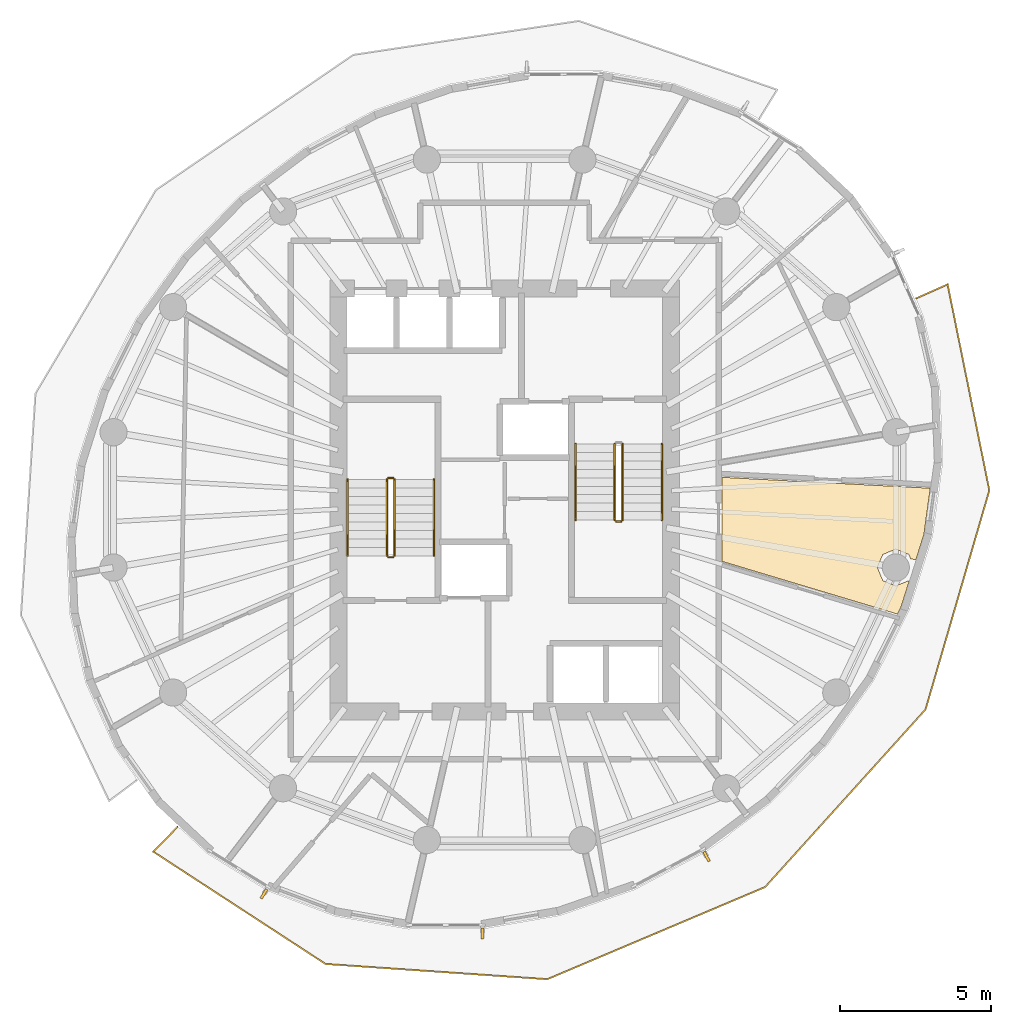
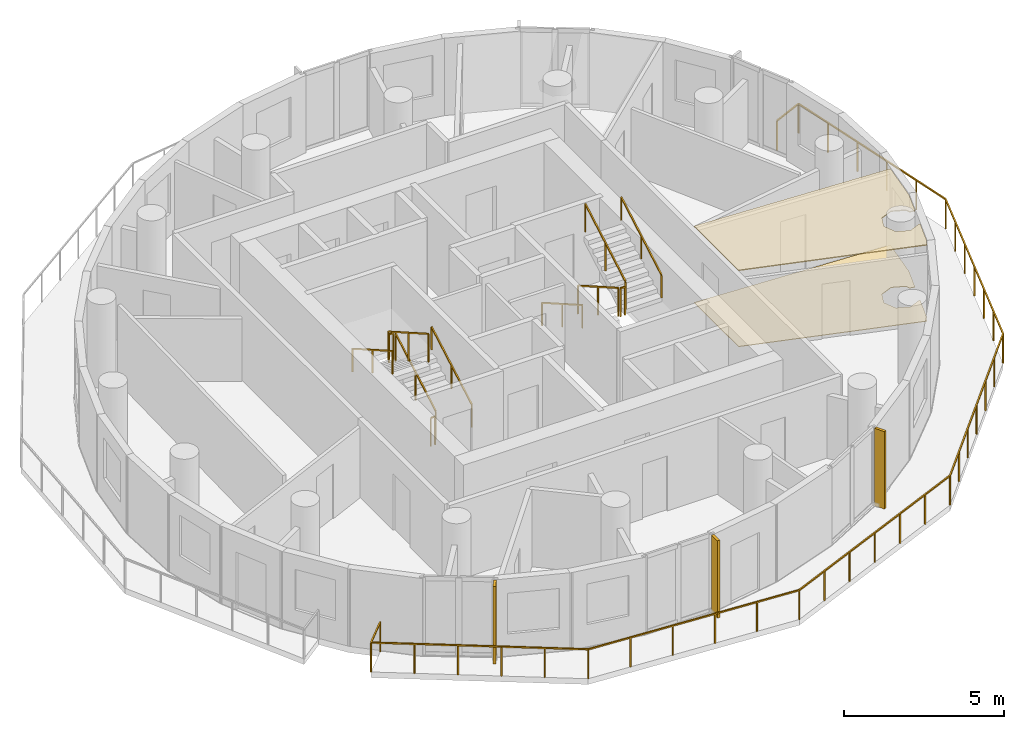
# One storey, part 8 of 10: 12 railings, 3 shading devices, 2 coverings.
"""IFC4 building model written with IfcOpenShell, lengths in metres."""

from ifc_helpers import new_model, si_unit, direction, frame, origin, origin_2d, place, context, subcontext, project, spatial, polyline, rectangle, outline, extrude, material, layer, layer_set, type_object, element, save


model = new_model("IFC4")

# Units and contexts
model_context = context("Model", 3, precision=1e-05, world=origin(), true_north=direction((0.0, 1.0)))
body_context = subcontext(model_context, "Body", "Model", "MODEL_VIEW")
ifc_project = project(units=[si_unit("LENGTHUNIT", "METRE"), si_unit("AREAUNIT", "SQUARE_METRE"), si_unit("VOLUMEUNIT", "CUBIC_METRE"), si_unit("PLANEANGLEUNIT", "RADIAN"), si_unit("MASSUNIT", "GRAM", prefix="KILO")], contexts=[model_context])

# Site, building, storey
site_placement = place(None, origin())
site = spatial("IfcSite", under=ifc_project, at=site_placement, CompositionType="ELEMENT")
building_placement = place(site_placement, origin())
building = spatial("IfcBuilding", under=site, at=building_placement, Name="Veldorim Arch Residences", CompositionType="ELEMENT")
storey_placement = place(building_placement, frame((0.0, 0.0, 169.43994140625)))
storey = spatial("IfcBuildingStorey", under=building, at=storey_placement, Name="L50", CompositionType="ELEMENT", Elevation=169.43994140625)

# Railings
ifc_material_1 = material(Name="Aluminium", Category="aluminium")
railing_type_1 = type_object("IfcRailingType", Name="Balcony & Terrace Laminated Glass Balustrade 1150", PredefinedType="BALUSTRADE", material=ifc_material_1)
railing_1_placement = place(storey_placement, frame((21.172607421875, 13.17724609375, 0.0)))
element("IfcRailing", 1, at=railing_1_placement, inside=storey, type_object=railing_type_1, Name="L50 crescent balcony safety balustrade B", PredefinedType="BALUSTRADE", context=body_context, shape_type="SweptSolid", body=[
    extrude(rectangle(XDim=0.048095703125, YDim=0.048095703125, at=origin_2d()), frame((0.0, 0.0, 1.1259765625), z_axis=(-0.700173288971, -0.713972944454, 0.0), x_axis=(0.713972944454, -0.700173288971, 0.0)), (0.0, 0.0, 1.0), 1.14990234375),
    extrude(rectangle(XDim=0.048095703125, YDim=0.048095703125, at=origin_2d()), frame((-0.80517578125, -0.821044921875, 1.1259765625), z_axis=(0.837688338332, -0.546148558382, 0.0), x_axis=(0.546148558382, 0.837688338332, 0.0)), (0.0, 0.0, 1.0), 6.80908203125),
    extrude(rectangle(XDim=0.048095703125, YDim=0.048095703125, at=origin_2d()), frame((4.898681640625, -4.539794921875, 1.1259765625), z_axis=(0.997644680332, -0.068593671764, 0.0), x_axis=(0.068593671764, 0.997644680332, 0.0)), (0.0, 0.0, 1.0), 7.35693359375),
    extrude(rectangle(XDim=0.048095703125, YDim=0.048095703125, at=origin_2d()), frame((12.23828125, -5.04443359375, 1.1259765625), z_axis=(0.920939712465, 0.389705075673, 0.0), x_axis=(-0.389705075673, 0.920939712465, 0.0)), (0.0, 0.0, 1.0), 7.83154296875),
    extrude(rectangle(XDim=0.048095703125, YDim=0.048095703125, at=origin_2d()), frame((19.45068359375, -1.992431640625, 1.1259765625), z_axis=(0.670326238201, 0.742066529618, 0.0), x_axis=(-0.742066529618, 0.670326238201, 0.0)), (0.0, 0.0, 1.0), 7.9189453125),
    extrude(rectangle(XDim=0.048095703125, YDim=0.048095703125, at=origin_2d()), frame((24.759033203125, 3.884033203125, 1.1259765625), z_axis=(0.279642617111, 0.960104164503, 0.0), x_axis=(-0.960104164503, 0.279642617111, 0.0)), (0.0, 0.0, 1.0), 7.555419921875),
    extrude(rectangle(XDim=0.048095703125, YDim=0.048095703125, at=origin_2d()), frame((26.871826171875, 11.137939453125, 1.1259765625), z_axis=(-0.198747614893, 0.980050705614, 0.0), x_axis=(-0.980050705614, -0.198747614893, 0.0)), (0.0, 0.0, 1.0), 6.956298828125),
    extrude(rectangle(XDim=0.048095703125, YDim=0.048095703125, at=origin_2d()), frame((25.4892578125, 17.95556640625, 1.1259765625), z_axis=(-0.913802793159, -0.406158165268, 0.0), x_axis=(0.406158165268, -0.913802793159, 0.0)), (0.0, 0.0, 1.0), 1.14990234375),
    extrude(rectangle(XDim=0.0419921875, YDim=0.0419921875, at=origin_2d()), origin(), (0.0, 0.0, 1.0), 1.101806640625),
    extrude(rectangle(XDim=0.0419921875, YDim=0.0419921875, at=origin_2d()), frame((-0.80517578125, -0.821044921875, 0.0)), (0.0, 0.0, 1.0), 1.101806640625),
    extrude(rectangle(XDim=0.0419921875, YDim=0.0419921875, at=origin_2d()), frame((0.335693359375, -1.564697265625, 0.0)), (0.0, 0.0, 1.0), 1.101806640625),
    extrude(rectangle(XDim=0.0419921875, YDim=0.0419921875, at=origin_2d()), frame((1.476318359375, -2.30859375, 0.0)), (0.0, 0.0, 1.0), 1.101806640625),
    extrude(rectangle(XDim=0.0419921875, YDim=0.0419921875, at=origin_2d()), frame((2.6171875, -3.05224609375, 0.0)), (0.0, 0.0, 1.0), 1.101806640625),
    extrude(rectangle(XDim=0.0419921875, YDim=0.0419921875, at=origin_2d()), frame((3.7578125, -3.796142578125, 0.0)), (0.0, 0.0, 1.0), 1.101806640625),
    extrude(rectangle(XDim=0.0419921875, YDim=0.0419921875, at=origin_2d()), frame((4.898681640625, -4.539794921875, 0.0)), (0.0, 0.0, 1.0), 1.101806640625),
    extrude(rectangle(XDim=0.0419921875, YDim=0.0419921875, at=origin_2d()), frame((6.36669921875, -4.640625, 0.0)), (0.0, 0.0, 1.0), 1.101806640625),
    extrude(rectangle(XDim=0.0419921875, YDim=0.0419921875, at=origin_2d()), frame((7.83447265625, -4.74169921875, 0.0)), (0.0, 0.0, 1.0), 1.101806640625),
    extrude(rectangle(XDim=0.0419921875, YDim=0.0419921875, at=origin_2d()), frame((9.302490234375, -4.842529296875, 0.0)), (0.0, 0.0, 1.0), 1.101806640625),
    extrude(rectangle(XDim=0.0419921875, YDim=0.0419921875, at=origin_2d()), frame((10.770263671875, -4.943603515625, 0.0)), (0.0, 0.0, 1.0), 1.101806640625),
    extrude(rectangle(XDim=0.0419921875, YDim=0.0419921875, at=origin_2d()), frame((12.23828125, -5.04443359375, 0.0)), (0.0, 0.0, 1.0), 1.101806640625),
    extrude(rectangle(XDim=0.0419921875, YDim=0.0419921875, at=origin_2d()), frame((13.4404296875, -4.53564453125, 0.0)), (0.0, 0.0, 1.0), 1.101806640625),
    extrude(rectangle(XDim=0.0419921875, YDim=0.0419921875, at=origin_2d()), frame((14.642333984375, -4.027099609375, 0.0)), (0.0, 0.0, 1.0), 1.101806640625),
    extrude(rectangle(XDim=0.0419921875, YDim=0.0419921875, at=origin_2d()), frame((15.844482421875, -3.5185546875, 0.0)), (0.0, 0.0, 1.0), 1.101806640625),
    extrude(rectangle(XDim=0.0419921875, YDim=0.0419921875, at=origin_2d()), frame((17.046630859375, -3.009765625, 0.0)), (0.0, 0.0, 1.0), 1.101806640625),
    extrude(rectangle(XDim=0.0419921875, YDim=0.0419921875, at=origin_2d()), frame((18.24853515625, -2.5009765625, 0.0)), (0.0, 0.0, 1.0), 1.101806640625),
    extrude(rectangle(XDim=0.0419921875, YDim=0.0419921875, at=origin_2d()), frame((19.45068359375, -1.992431640625, 0.0)), (0.0, 0.0, 1.0), 1.101806640625),
    extrude(rectangle(XDim=0.0419921875, YDim=0.0419921875, at=origin_2d()), frame((20.33544921875, -1.012939453125, 0.0)), (0.0, 0.0, 1.0), 1.101806640625),
    extrude(rectangle(XDim=0.0419921875, YDim=0.0419921875, at=origin_2d()), frame((21.22021484375, -0.03369140625, 0.0)), (0.0, 0.0, 1.0), 1.101806640625),
    extrude(rectangle(XDim=0.0419921875, YDim=0.0419921875, at=origin_2d()), frame((22.10498046875, 0.94580078125, 0.0)), (0.0, 0.0, 1.0), 1.101806640625),
    extrude(rectangle(XDim=0.0419921875, YDim=0.0419921875, at=origin_2d()), frame((22.989501953125, 1.92529296875, 0.0)), (0.0, 0.0, 1.0), 1.101806640625),
    extrude(rectangle(XDim=0.0419921875, YDim=0.0419921875, at=origin_2d()), frame((23.874267578125, 2.904541015625, 0.0)), (0.0, 0.0, 1.0), 1.101806640625),
    extrude(rectangle(XDim=0.0419921875, YDim=0.0419921875, at=origin_2d()), frame((24.759033203125, 3.884033203125, 0.0)), (0.0, 0.0, 1.0), 1.101806640625),
    extrude(rectangle(XDim=0.0419921875, YDim=0.0419921875, at=origin_2d()), frame((25.111083984375, 5.093017578125, 0.0)), (0.0, 0.0, 1.0), 1.101806640625),
    extrude(rectangle(XDim=0.0419921875, YDim=0.0419921875, at=origin_2d()), frame((25.46337890625, 6.302001953125, 0.0)), (0.0, 0.0, 1.0), 1.101806640625),
    extrude(rectangle(XDim=0.0419921875, YDim=0.0419921875, at=origin_2d()), frame((25.8154296875, 7.510986328125, 0.0)), (0.0, 0.0, 1.0), 1.101806640625),
    extrude(rectangle(XDim=0.0419921875, YDim=0.0419921875, at=origin_2d()), frame((26.16748046875, 8.719970703125, 0.0)), (0.0, 0.0, 1.0), 1.101806640625),
    extrude(rectangle(XDim=0.0419921875, YDim=0.0419921875, at=origin_2d()), frame((26.519775390625, 9.928955078125, 0.0)), (0.0, 0.0, 1.0), 1.101806640625),
    extrude(rectangle(XDim=0.0419921875, YDim=0.0419921875, at=origin_2d()), frame((26.871826171875, 11.137939453125, 0.0)), (0.0, 0.0, 1.0), 1.101806640625),
    extrude(rectangle(XDim=0.0419921875, YDim=0.0419921875, at=origin_2d()), frame((26.59521484375, 12.50146484375, 0.0)), (0.0, 0.0, 1.0), 1.101806640625),
    extrude(rectangle(XDim=0.0419921875, YDim=0.0419921875, at=origin_2d()), frame((26.31884765625, 13.864990234375, 0.0)), (0.0, 0.0, 1.0), 1.101806640625),
    extrude(rectangle(XDim=0.0419921875, YDim=0.0419921875, at=origin_2d()), frame((26.042236328125, 15.228515625, 0.0)), (0.0, 0.0, 1.0), 1.101806640625),
    extrude(rectangle(XDim=0.0419921875, YDim=0.0419921875, at=origin_2d()), frame((25.765869140625, 16.592041015625, 0.0)), (0.0, 0.0, 1.0), 1.101806640625),
    extrude(rectangle(XDim=0.0419921875, YDim=0.0419921875, at=origin_2d()), frame((25.4892578125, 17.95556640625, 0.0)), (0.0, 0.0, 1.0), 1.101806640625),
    extrude(rectangle(XDim=0.0419921875, YDim=0.0419921875, at=origin_2d()), frame((24.4384765625, 17.488525390625, 0.0)), (0.0, 0.0, 1.0), 1.101806640625),
])
ifc_material_2 = material(Name="Steel S355", Category="steel")
railing_type_2 = type_object("IfcRailingType", Name="Galvanised Steel Stair Safety Guardrail 1100", PredefinedType="GUARDRAIL", material=ifc_material_2)
railing_2_placement = place(storey_placement, frame((28.360107421875, 22.14990234375, 0.16015625)))
element("IfcRailing", 2, at=railing_2_placement, inside=storey, type_object=railing_type_2, Name="L50 ST-1 stair guard 1", PredefinedType="GUARDRAIL", context=body_context, shape_type="SweptSolid", body=[
    extrude(rectangle(XDim=0.048095703125, YDim=0.048095703125, at=origin_2d()), frame((0.0, 0.0, 1.076171875), z_axis=(0.0, 0.868253494771, 0.496120820787), x_axis=(-1.0, 0.0, 0.0)), (0.0, 0.0, 1.0), 2.90234375),
    extrude(rectangle(XDim=0.0419921875, YDim=0.0419921875, at=origin_2d()), origin(), (0.0, 0.0, 1.0), 1.052001953125),
    extrude(rectangle(XDim=0.0419921875, YDim=0.0419921875, at=origin_2d()), frame((0.0, 1.260009765625, 0.719970703125)), (0.0, 0.0, 1.0), 1.052001953125),
    extrude(rectangle(XDim=0.0419921875, YDim=0.0419921875, at=origin_2d()), frame((0.0, 2.52001953125, 1.43994140625)), (0.0, 0.0, 1.0), 1.052001953125),
])
railing_3_placement = place(storey_placement, frame((28.31005859375, 24.719970703125, 1.60009765625)))
element("IfcRailing", 3, at=railing_3_placement, inside=storey, type_object=railing_type_2, Name="L50 ST-1 stair guard 2", PredefinedType="GUARDRAIL", context=body_context, shape_type="SweptSolid", body=[
    extrude(rectangle(XDim=0.048095703125, YDim=0.048095703125, at=origin_2d()), frame((0.0, 0.0, 1.076171875), z_axis=(-1.0, 0.0, 0.0), x_axis=(0.0, -1.0, 0.0)), (0.0, 0.0, 1.0), 0.16015625),
    extrude(rectangle(XDim=0.0419921875, YDim=0.0419921875, at=origin_2d()), origin(), (0.0, 0.0, 1.0), 1.052001953125),
    extrude(rectangle(XDim=0.0419921875, YDim=0.0419921875, at=origin_2d()), frame((-0.16015625, 0.0, 0.0)), (0.0, 0.0, 1.0), 1.052001953125),
])
railing_4_placement = place(storey_placement, frame((28.10009765625, 24.669921875, 1.760009765625)))
element("IfcRailing", 4, at=railing_4_placement, inside=storey, type_object=railing_type_2, Name="L50 ST-1 stair guard 3", PredefinedType="GUARDRAIL", context=body_context, shape_type="SweptSolid", body=[
    extrude(rectangle(XDim=0.048095703125, YDim=0.048095703125, at=origin_2d()), frame((0.0, 0.0, 1.076171875), z_axis=(0.0, -0.868253494771, 0.496120820787), x_axis=(1.0, 0.0, 0.0)), (0.0, 0.0, 1.0), 2.90234375),
    extrude(rectangle(XDim=0.0419921875, YDim=0.0419921875, at=origin_2d()), origin(), (0.0, 0.0, 1.0), 1.052001953125),
    extrude(rectangle(XDim=0.0419921875, YDim=0.0419921875, at=origin_2d()), frame((0.0, -1.260009765625, 0.719970703125)), (0.0, 0.0, 1.0), 1.052001953125),
    extrude(rectangle(XDim=0.0419921875, YDim=0.0419921875, at=origin_2d()), frame((0.0, -2.52001953125, 1.43994140625)), (0.0, 0.0, 1.0), 1.052001953125),
])
railing_5_placement = place(storey_placement, frame((28.31005859375, 22.10009765625, 0.0)))
element("IfcRailing", 5, at=railing_5_placement, inside=storey, type_object=railing_type_2, Name="L50 ST-1 stair guard 4", PredefinedType="GUARDRAIL", context=body_context, shape_type="SweptSolid", body=[
    extrude(rectangle(XDim=0.048095703125, YDim=0.048095703125, at=origin_2d()), frame((0.0, 0.0, 1.076171875), z_axis=(-1.0, 0.0, 0.0), x_axis=(0.0, -1.0, 0.0)), (0.0, 0.0, 1.0), 0.16015625),
    extrude(rectangle(XDim=0.0419921875, YDim=0.0419921875, at=origin_2d()), origin(), (0.0, 0.0, 1.0), 1.052001953125),
    extrude(rectangle(XDim=0.0419921875, YDim=0.0419921875, at=origin_2d()), frame((-0.16015625, 0.0, 0.0)), (0.0, 0.0, 1.0), 1.052001953125),
])
railing_6_placement = place(storey_placement, frame((35.639892578125, 25.85009765625, 0.16015625)))
element("IfcRailing", 6, at=railing_6_placement, inside=storey, type_object=railing_type_2, Name="L50 ST-2 stair guard 1", PredefinedType="GUARDRAIL", context=body_context, shape_type="SweptSolid", body=[
    extrude(rectangle(XDim=0.048095703125, YDim=0.048095703125, at=origin_2d()), frame((0.0, 0.0, 1.076171875), z_axis=(0.0, -0.868253494771, 0.496120820787), x_axis=(1.0, 0.0, 0.0)), (0.0, 0.0, 1.0), 2.90234375),
    extrude(rectangle(XDim=0.0419921875, YDim=0.0419921875, at=origin_2d()), origin(), (0.0, 0.0, 1.0), 1.052001953125),
    extrude(rectangle(XDim=0.0419921875, YDim=0.0419921875, at=origin_2d()), frame((0.0, -1.260009765625, 0.719970703125)), (0.0, 0.0, 1.0), 1.052001953125),
    extrude(rectangle(XDim=0.0419921875, YDim=0.0419921875, at=origin_2d()), frame((0.0, -2.52001953125, 1.43994140625)), (0.0, 0.0, 1.0), 1.052001953125),
])
railing_7_placement = place(storey_placement, frame((35.68994140625, 23.280029296875, 1.60009765625)))
element("IfcRailing", 7, at=railing_7_placement, inside=storey, type_object=railing_type_2, Name="L50 ST-2 stair guard 2", PredefinedType="GUARDRAIL", context=body_context, shape_type="SweptSolid", body=[
    extrude(rectangle(XDim=0.048095703125, YDim=0.048095703125, at=origin_2d()), frame((0.0, 0.0, 1.076171875), z_axis=(1.0, 0.0, 0.0), x_axis=(0.0, 1.0, 0.0)), (0.0, 0.0, 1.0), 0.16015625),
    extrude(rectangle(XDim=0.0419921875, YDim=0.0419921875, at=origin_2d()), origin(), (0.0, 0.0, 1.0), 1.052001953125),
    extrude(rectangle(XDim=0.0419921875, YDim=0.0419921875, at=origin_2d()), frame((0.16015625, 0.0, 0.0)), (0.0, 0.0, 1.0), 1.052001953125),
])
railing_8_placement = place(storey_placement, frame((35.89990234375, 23.330078125, 1.760009765625)))
element("IfcRailing", 8, at=railing_8_placement, inside=storey, type_object=railing_type_2, Name="L50 ST-2 stair guard 3", PredefinedType="GUARDRAIL", context=body_context, shape_type="SweptSolid", body=[
    extrude(rectangle(XDim=0.048095703125, YDim=0.048095703125, at=origin_2d()), frame((0.0, 0.0, 1.076171875), z_axis=(0.0, 0.868253494771, 0.496120820787), x_axis=(-1.0, 0.0, 0.0)), (0.0, 0.0, 1.0), 2.90234375),
    extrude(rectangle(XDim=0.0419921875, YDim=0.0419921875, at=origin_2d()), origin(), (0.0, 0.0, 1.0), 1.052001953125),
    extrude(rectangle(XDim=0.0419921875, YDim=0.0419921875, at=origin_2d()), frame((0.0, 1.260009765625, 0.719970703125)), (0.0, 0.0, 1.0), 1.052001953125),
    extrude(rectangle(XDim=0.0419921875, YDim=0.0419921875, at=origin_2d()), frame((0.0, 2.52001953125, 1.43994140625)), (0.0, 0.0, 1.0), 1.052001953125),
])

# Coverings
ifc_material_3 = material(Name="Acoustic Gypsum & Mineral Fibre", Category="gypsum")
ifc_layer_1 = layer(ifc_material_3, 0.034912109375, Name="Perforated Acoustic Mineral-Fibre Ceiling 35")
ifc_layer_set_1 = layer_set([ifc_layer_1], Name="Acoustic Gypsum & Mineral Fibre")
covering_type_1 = type_object("IfcCoveringType", Name="Perforated Acoustic Mineral-Fibre Ceiling 35", PredefinedType="CEILING", material=ifc_layer_set_1)
covering_1_placement = place(storey_placement, frame((0.0, 0.0, 2.905029296875)))
element("IfcCovering", 9, at=covering_1_placement, inside=storey, type_object=covering_type_1, Name="L50 acoustic suspended ceiling 01", PredefinedType="CEILING", context=body_context, shape_type="SweptSolid", body=[
    extrude(outline(polyline([(45.3876953125, 21.31103515625), (45.11767578125, 20.455078125), (44.999267578125, 20.220458984375), (39.199951171875, 21.96240234375), (39.199951171875, 24.745361328125), (46.08544921875, 24.385498046875), (45.875, 22.8564453125), (45.61083984375, 22.018310546875), (45.43701171875, 22.048583984375), (45.377685546875, 22.191650390625), (44.9462890625, 22.370361328125), (44.51513671875, 22.191650390625), (44.33642578125, 21.760498046875), (44.51513671875, 21.3291015625), (44.9462890625, 21.150390625), (45.349853515625, 21.317626953125), (45.3876953125, 21.31103515625)])), origin(), (0.0, 0.0, 1.0), 0.034912109375),
])
ifc_material_4 = material(Name="Porcelain Ceramic Tile", Category="ceramic")
ifc_layer_2 = layer(ifc_material_4, 0.02001953125, Name="Slip-Resistant Porcelain & Vinyl Floor Finish 20")
ifc_layer_set_2 = layer_set([ifc_layer_2], Name="Porcelain Ceramic Tile")
covering_type_2 = type_object("IfcCoveringType", Name="Slip-Resistant Porcelain & Vinyl Floor Finish 20", PredefinedType="FLOORING", material=ifc_layer_set_2)
covering_2_placement = place(storey_placement, origin())
element("IfcCovering", 10, at=covering_2_placement, inside=storey, type_object=covering_type_2, Name="L50 porcelain floor finish 01", PredefinedType="FLOORING", context=body_context, shape_type="SweptSolid", body=[
    extrude(outline(polyline([(45.3876953125, 21.31103515625), (45.11767578125, 20.455078125), (44.999267578125, 20.220458984375), (39.199951171875, 21.96240234375), (39.199951171875, 24.745361328125), (46.08544921875, 24.385498046875), (45.875, 22.8564453125), (45.61083984375, 22.018310546875), (45.43701171875, 22.048583984375), (45.377685546875, 22.191650390625), (44.9462890625, 22.370361328125), (44.51513671875, 22.191650390625), (44.33642578125, 21.760498046875), (44.51513671875, 21.3291015625), (44.9462890625, 21.150390625), (45.349853515625, 21.317626953125), (45.3876953125, 21.31103515625)])), origin(), (0.0, 0.0, 1.0), 0.02001953125),
])

# Railings
ifc_material_5 = material(Name="Stainless Steel", Category="steel")
railing_type_3 = type_object("IfcRailingType", Name="Tubular Steel Continuous Wall Handrail 900", PredefinedType="HANDRAIL", material=ifc_material_5)
railing_9_placement = place(storey_placement, frame((29.659912109375, 22.14990234375, 0.16015625)))
element("IfcRailing", 11, at=railing_9_placement, inside=storey, type_object=railing_type_3, Name="L50 ST-1 stair handrail 1", PredefinedType="HANDRAIL", context=body_context, shape_type="SweptSolid", body=[
    extrude(rectangle(XDim=0.048095703125, YDim=0.048095703125, at=origin_2d()), frame((0.0, 0.0, 0.8759765625), z_axis=(0.0, 0.868253494771, 0.496120820787), x_axis=(-1.0, 0.0, 0.0)), (0.0, 0.0, 1.0), 2.90234375),
    extrude(rectangle(XDim=0.0419921875, YDim=0.0419921875, at=origin_2d()), origin(), (0.0, 0.0, 1.0), 0.851806640625),
    extrude(rectangle(XDim=0.0419921875, YDim=0.0419921875, at=origin_2d()), frame((0.0, 1.260009765625, 0.719970703125)), (0.0, 0.0, 1.0), 0.851806640625),
    extrude(rectangle(XDim=0.0419921875, YDim=0.0419921875, at=origin_2d()), frame((0.0, 2.52001953125, 1.43994140625)), (0.0, 0.0, 1.0), 0.851806640625),
])
for number, where, name in (
    (12, (26.800048828125, 24.669921875, 1.760009765625), "L50 ST-1 stair handrail 2"),
    (13, (34.340087890625, 25.85009765625, 0.16015625), "L50 ST-2 stair handrail 1"),
):
    element("IfcRailing", number, at=place(storey_placement, frame(where)), inside=storey, type_object=railing_type_3, Name=name, PredefinedType="HANDRAIL", context=body_context, shape_type="SweptSolid", body=[
        extrude(rectangle(XDim=0.048095703125, YDim=0.048095703125, at=origin_2d()), frame((0.0, 0.0, 0.8759765625), z_axis=(0.0, -0.868253494771, 0.496120820787), x_axis=(1.0, 0.0, 0.0)), (0.0, 0.0, 1.0), 2.90234375),
        extrude(rectangle(XDim=0.0419921875, YDim=0.0419921875, at=origin_2d()), origin(), (0.0, 0.0, 1.0), 0.851806640625),
        extrude(rectangle(XDim=0.0419921875, YDim=0.0419921875, at=origin_2d()), frame((0.0, -1.260009765625, 0.719970703125)), (0.0, 0.0, 1.0), 0.851806640625),
        extrude(rectangle(XDim=0.0419921875, YDim=0.0419921875, at=origin_2d()), frame((0.0, -2.52001953125, 1.43994140625)), (0.0, 0.0, 1.0), 0.851806640625),
    ])
railing_10_placement = place(storey_placement, frame((37.199951171875, 23.330078125, 1.760009765625)))
element("IfcRailing", 14, at=railing_10_placement, inside=storey, type_object=railing_type_3, Name="L50 ST-2 stair handrail 2", PredefinedType="HANDRAIL", context=body_context, shape_type="SweptSolid", body=[
    extrude(rectangle(XDim=0.048095703125, YDim=0.048095703125, at=origin_2d()), frame((0.0, 0.0, 0.8759765625), z_axis=(0.0, 0.868253494771, 0.496120820787), x_axis=(-1.0, 0.0, 0.0)), (0.0, 0.0, 1.0), 2.90234375),
    extrude(rectangle(XDim=0.0419921875, YDim=0.0419921875, at=origin_2d()), origin(), (0.0, 0.0, 1.0), 0.851806640625),
    extrude(rectangle(XDim=0.0419921875, YDim=0.0419921875, at=origin_2d()), frame((0.0, 1.260009765625, 0.719970703125)), (0.0, 0.0, 1.0), 0.851806640625),
    extrude(rectangle(XDim=0.0419921875, YDim=0.0419921875, at=origin_2d()), frame((0.0, 2.52001953125, 1.43994140625)), (0.0, 0.0, 1.0), 0.851806640625),
])

# Shading devices
ifc_material_6 = material(Name="Terracotta Ceramic", Category="masonry")
ifc_layer_3 = layer(ifc_material_6, 0.090087890625, Name="Vertical Extruded Terracotta Baguette Sun-Shading Fin")
ifc_layer_set_3 = layer_set([ifc_layer_3], Name="Terracotta Ceramic")
shading_device_type = type_object("IfcShadingDeviceType", Name="Vertical Extruded Terracotta Baguette Sun-Shading Fin", PredefinedType="USERDEFINED", material=ifc_layer_set_3)
for number, where, z_axis, x_axis, name in (
    (15, (24.0322265625, 10.959716796875, 0.0), (0.0, 0.0, 1.0), (-0.850719384362, 0.52562013762, 0.0), "L50 vertical terracotta sun-shading fin 20"),
    (16, (31.264892578125, 9.654052734375, 0.0), (0.0, 0.0, 1.0), (-0.999996573056, -0.002617990887, 0.0), "L50 vertical terracotta sun-shading fin 23"),
    (17, (38.683349609375, 12.194580078125, 0.0), (0.0, 0.0, 1.0), (-0.882537565484, -0.470241901057, 0.0), "L50 vertical terracotta sun-shading fin 26"),
):
    element("IfcShadingDevice", number, at=place(storey_placement, frame(where, z_axis=z_axis, x_axis=x_axis)), inside=storey, type_object=shading_device_type, Name=name, ObjectType="FIN", PredefinedType="USERDEFINED", context=body_context, shape_type="SweptSolid", body=[
        extrude(rectangle(XDim=0.090087890625, YDim=0.360107421875, at=origin_2d()), origin(), (0.0, 0.0, 1.0), 2.9599609375),
    ])

save(model, "model.ifc")
